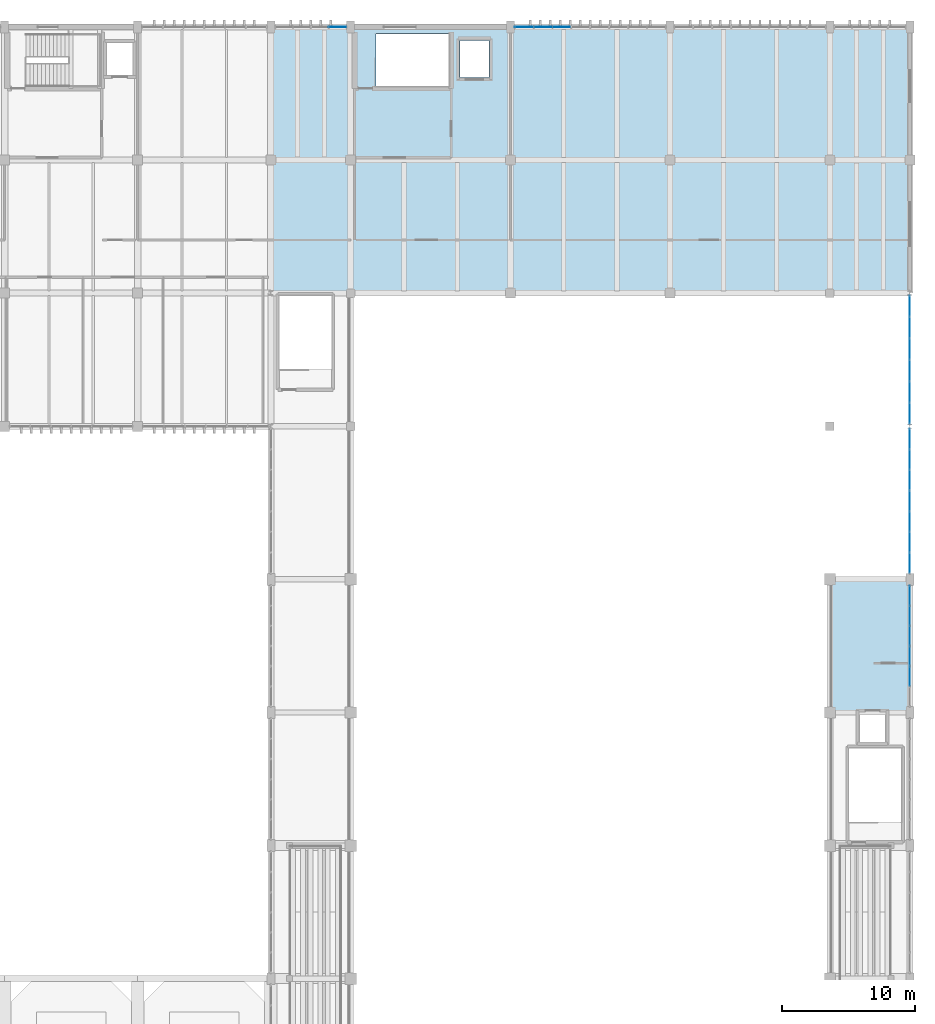
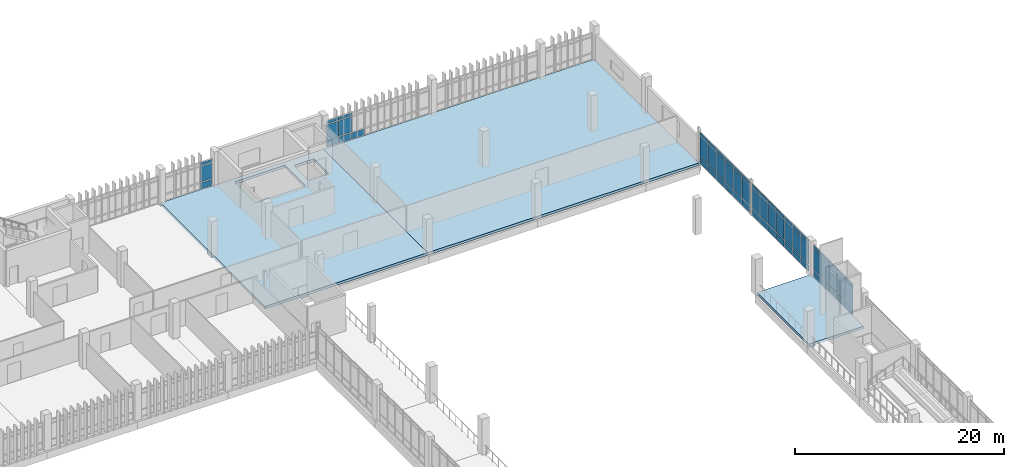
# One storey, part 139 of 161: 64 plates, 3 slabs, 5 elements without a shape of their own.
"""IFC4 building model written with IfcOpenShell, lengths in metres."""

import ifcopenshell
import ifcopenshell.guid

model = None  # the IFC model being written
_history = None  # IfcOwnerHistory: only IFC2X3 demands one
_inside = {}  # id of a spatial element -> (the spatial element, [elements in it])
_under = {}  # id of a project, library or spatial element -> (it, [spatial elements below it])
_declared = {}  # id of a project -> (the project, [libraries it declares])
_typed = {}  # id of a type object -> (the type object, [elements of that type])
_made_of = {}  # id of a material, layer set ... -> (it, [elements and type objects made of it])


def new_model(schema):
    """Start an empty IFC model of exactly this schema.

    Asked for "IFC4X3", IfcOpenShell would pick the latest addendum, in which some entities
    have other attributes; the version numbers below select the first issue.
    IFC2X3 requires an IfcOwnerHistory on every rooted entity: one is made here for all.
    """
    global model, _history
    if schema == "IFC4X3":
        model = ifcopenshell.file(schema_version=(4, 3, 0, 0))
    else:
        model = ifcopenshell.file(schema=schema)
    _inside.clear()
    _under.clear()
    _declared.clear()
    _typed.clear()
    _made_of.clear()
    _history = None
    if model.schema == "IFC2X3":
        org = make("IfcOrganization", Name="unknown")
        user = make(
            "IfcPersonAndOrganization",
            ThePerson=make("IfcPerson", FamilyName="unknown"),
            TheOrganization=org,
        )
        app = make(
            "IfcApplication",
            ApplicationDeveloper=org,
            Version="unknown",
            ApplicationFullName="unknown",
            ApplicationIdentifier="unknown",
        )
        _history = make(
            "IfcOwnerHistory",
            OwningUser=user,
            OwningApplication=app,
            ChangeAction="ADDED",
            CreationDate=0,
        )
    return model


def make(cls, **values):
    """One entity of the class cls with the attributes given. An attribute that is None is left unset."""
    return model.create_entity(
        cls, **{name: value for name, value in values.items() if value is not None}
    )


def rooted(cls, **values):
    """An entity with a GlobalId (a new one), such as an element, a storey or a relation."""
    return make(cls, GlobalId=ifcopenshell.guid.new(), OwnerHistory=_history, **values)


def si_unit(unit_type, name, prefix=None):
    """IfcSIUnit, for example si_unit("LENGTHUNIT", "METRE", prefix="MILLI")."""
    return make("IfcSIUnit", UnitType=unit_type, Prefix=prefix, Name=name)


def assignment(units):
    """IfcUnitAssignment: the units of a project."""
    return None if units is None else make("IfcUnitAssignment", Units=units)


def point(xyz):
    """IfcCartesianPoint."""
    return None if xyz is None else make("IfcCartesianPoint", Coordinates=xyz)


def direction(xyz):
    """IfcDirection."""
    return None if xyz is None else make("IfcDirection", DirectionRatios=xyz)


def frame(location, z_axis=None, x_axis=None):
    """IfcAxis2Placement3D, a coordinate frame: its origin and axes. An axis left out is left unset."""
    return make(
        "IfcAxis2Placement3D",
        Location=point(location),
        Axis=direction(z_axis),
        RefDirection=direction(x_axis),
    )


def frame_2d(location, x_axis=None):
    """IfcAxis2Placement2D, a coordinate frame in the plane: its origin and x axis."""
    return make(
        "IfcAxis2Placement2D", Location=point(location), RefDirection=direction(x_axis)
    )


def origin():
    """The frame at (0, 0, 0) with its axes left unset."""
    return frame((0.0, 0.0, 0.0))


def origin_2d():
    """The frame at (0, 0) in the plane with its x axis left unset."""
    return frame_2d((0.0, 0.0))


def place(relative_to, where):
    """IfcLocalPlacement: puts the frame where relative to a parent placement (None: the world)."""
    return make(
        "IfcLocalPlacement", PlacementRelTo=relative_to, RelativePlacement=where
    )


def context(
    kind, dimensions, precision=None, world=None, true_north=None, identifier=None
):
    """IfcGeometricRepresentationContext, for example the 3D "Model" context."""
    return make(
        "IfcGeometricRepresentationContext",
        ContextIdentifier=identifier,
        ContextType=kind,
        CoordinateSpaceDimension=dimensions,
        Precision=precision,
        WorldCoordinateSystem=world,
        TrueNorth=true_north,
    )


def subcontext(parent, identifier, kind, view, scale=None):
    """IfcGeometricRepresentationSubContext, for example "Body" below "Model"."""
    return make(
        "IfcGeometricRepresentationSubContext",
        ContextIdentifier=identifier,
        ContextType=kind,
        ParentContext=parent,
        TargetScale=scale,
        TargetView=view,
    )


def project(units=None, contexts=None):
    """IfcProject with its units and contexts."""
    return rooted(
        "IfcProject",
        Name="project",
        RepresentationContexts=contexts,
        UnitsInContext=assignment(units),
    )


def spatial(cls, under=None, at=None, **own):
    """A site, building, storey or space (cls), placed at a placement, below another one or the project."""
    s = rooted(cls, ObjectPlacement=at, **own)
    if under is not None:
        _under.setdefault(under.id(), (under, []))[1].append(s)
    return s


def polyline(points):
    """IfcPolyline through the points."""
    return make("IfcPolyline", Points=[point(p) for p in points])


def profile(cls, at=None, kind="AREA", **sizes):
    """A parametric profile (cls). Its sizes go by their IFC names, for example OverallWidth=200.0."""
    return make(cls, ProfileType=kind, Position=at, **sizes)


def rectangle(**sizes):
    """IfcRectangleProfileDef."""
    return profile("IfcRectangleProfileDef", **sizes)


def outline(outer, holes=None, kind="AREA"):
    """IfcArbitraryClosedProfileDef: a profile drawn as a closed curve; with holes, ...WithVoids."""
    if holes is None:
        return make("IfcArbitraryClosedProfileDef", ProfileType=kind, OuterCurve=outer)
    return make(
        "IfcArbitraryProfileDefWithVoids",
        ProfileType=kind,
        OuterCurve=outer,
        InnerCurves=holes,
    )


def extrude(swept, where, along, depth):
    """IfcExtrudedAreaSolid: the profile swept, set in the frame where, extruded along a direction by depth."""
    return make(
        "IfcExtrudedAreaSolid",
        SweptArea=swept,
        Position=where,
        ExtrudedDirection=direction(along),
        Depth=depth,
    )


def shape(context_of_items, identifier, shape_type, items):
    """IfcShapeRepresentation: the items that make up one representation, for example the "Body"."""
    return make(
        "IfcShapeRepresentation",
        ContextOfItems=context_of_items,
        RepresentationIdentifier=identifier,
        RepresentationType=shape_type,
        Items=items,
    )


def material(Name=None, Category=None):
    """IfcMaterial."""
    return make("IfcMaterial", Name=Name, Category=Category)


def layer(
    of_material, thickness, ventilated=None, Name=None, Category=None, Priority=None
):
    """IfcMaterialLayer: one layer of a wall or slab, of a material (None: an air gap)."""
    return make(
        "IfcMaterialLayer",
        Material=of_material,
        LayerThickness=thickness,
        IsVentilated=ventilated,
        Name=Name,
        Category=Category,
        Priority=Priority,
    )


def layer_set(layers, Name=None):
    """IfcMaterialLayerSet."""
    return make("IfcMaterialLayerSet", MaterialLayers=layers, LayerSetName=Name)


def made_of(thing, what):
    """Note that an element or type object is made of a material, layer set ...; save() writes the relation."""
    if what is not None:
        _made_of.setdefault(what.id(), (what, []))[1].append(thing)
    return thing


def type_object(cls, material=None, **own):
    """A type object (cls), such as IfcWallType, which elements share."""
    return made_of(rooted(cls, **own), material)


def element(
    cls,
    number,
    at=None,
    inside=None,
    cuts=None,
    type_object=None,
    material=None,
    context=None,
    identifier="Body",
    shape_type=None,
    held_by="IfcProductDefinitionShape",
    body=None,
    shapes=None,
    **own,
):
    """One element of the class cls, such as IfcWall. Its Tag is "e" and its number.

    at: its placement. inside: the storey or other place that contains it. cuts: it is an
    opening in that element (IfcRelVoidsElement). A single representation is given by context,
    identifier, shape_type and body (its items); several are given by shapes. held_by: the class
    of the entity that holds the representations. save() writes the other relations.
    """
    e = rooted(cls, Tag="e%d" % number, ObjectPlacement=at, **own)
    if body is not None:
        shapes = [shape(context, identifier, shape_type, body)]
    if shapes is not None:
        e.Representation = make(held_by, Representations=shapes)
    if inside is not None:
        _inside.setdefault(inside.id(), (inside, []))[1].append(e)
    if cuts is not None:
        rooted(
            "IfcRelVoidsElement", RelatingBuildingElement=cuts, RelatedOpeningElement=e
        )
    if type_object is not None:
        _typed.setdefault(type_object.id(), (type_object, []))[1].append(e)
    return made_of(e, material)


def aggregate(whole, parts):
    """IfcRelAggregates: a whole, such as a stair, and the parts it consists of."""
    return rooted("IfcRelAggregates", RelatingObject=whole, RelatedObjects=parts)


def save(model, path):
    """Write the relations noted so far, then the file.

    IfcRelAggregates (storeys below a building ...), IfcRelContainedInSpatialStructure (elements
    in a storey), IfcRelDefinesByType, IfcRelAssociatesMaterial and IfcRelDeclares: one each for
    every whole, place, type object, material and project.
    """
    for whole, parts in _under.values():
        aggregate(whole, parts)
    for where, things in _inside.values():
        rooted(
            "IfcRelContainedInSpatialStructure",
            RelatedElements=things,
            RelatingStructure=where,
        )
    for kind, things in _typed.values():
        rooted("IfcRelDefinesByType", RelatedObjects=things, RelatingType=kind)
    for what, things in _made_of.values():
        rooted("IfcRelAssociatesMaterial", RelatedObjects=things, RelatingMaterial=what)
    for by, libraries in _declared.values():
        rooted("IfcRelDeclares", RelatingContext=by, RelatedDefinitions=libraries)
    model.write(path)


model = new_model("IFC4")

# Units and contexts
model_context = context("Model", 3, precision=1e-05, world=origin(), true_north=direction((0.0, 1.0)))
body_context = subcontext(model_context, "Body", "Model", "MODEL_VIEW")
ifc_project = project(units=[si_unit("LENGTHUNIT", "METRE"), si_unit("AREAUNIT", "SQUARE_METRE"), si_unit("VOLUMEUNIT", "CUBIC_METRE"), si_unit("PLANEANGLEUNIT", "RADIAN"), si_unit("MASSUNIT", "GRAM", prefix="KILO")], contexts=[model_context])

# Site, building, storey
site_placement = place(None, origin())
site = spatial("IfcSite", under=ifc_project, at=site_placement, CompositionType="ELEMENT")
building_placement = place(site_placement, origin())
building = spatial("IfcBuilding", under=site, at=building_placement, Name="Mersad Railyard Sports Hall", CompositionType="ELEMENT")
storey_placement = place(building_placement, frame((0.0, 0.0, 4.800048828125)))
storey = spatial("IfcBuildingStorey", under=building, at=storey_placement, Name="L01", CompositionType="ELEMENT", Elevation=4.800048828125)

# Curtain wall, plates
ifc_material_1 = material(Name="Aluminium 6063-T6", Category="aluminium")
ifc_layer_1 = layer(ifc_material_1, 0.159912109375)
ifc_layer_set_1 = layer_set([ifc_layer_1], Name="Aluminium 6063-T6")
curtain_wall_type_1 = type_object("IfcCurtainWallType", Name="ARC-CW-CW14", PredefinedType="USERDEFINED", material=ifc_layer_set_1)
curtain_wall_1_placement = place(storey_placement, origin())
curtain_wall_1 = element("IfcCurtainWall", 1, at=curtain_wall_1_placement, inside=storey, type_object=curtain_wall_type_1, Name="Curtain wall CW14-0056", ObjectType="CURTAIN WALL", PredefinedType="USERDEFINED")
ifc_material_2 = material(Name="Solar-control glass", Category="glass")
ifc_layer_2 = layer(ifc_material_2, 0.028076171875)
ifc_layer_set_2 = layer_set([ifc_layer_2], Name="Solar-control glass")
plate_type = type_object("IfcPlateType", Name="ARC-CW-PNL01", PredefinedType="CURTAIN_PANEL", material=ifc_layer_set_2)
plate_1_placement = place(storey_placement, frame((179.0, 72.27490234375, 0.0849609375), z_axis=(0.0, 0.0, 1.0), x_axis=(0.0, -1.0, 0.0)))
plate_1 = element("IfcPlate", 2, at=plate_1_placement, type_object=plate_type, Name="CW14 Glazed panel 1-1", PredefinedType="CURTAIN_PANEL", context=body_context, shape_type="SweptSolid", body=[
    extrude(rectangle(XDim=1.466064453125, YDim=0.028076171875, at=origin_2d()), origin(), (0.0, 0.0, 1.0), 0.719970703125),
])
plate_2_placement = place(storey_placement, frame((179.0, 72.27490234375, 0.89501953125), z_axis=(0.0, 0.0, 1.0), x_axis=(0.0, -1.0, 0.0)))
plate_2 = element("IfcPlate", 3, at=plate_2_placement, type_object=plate_type, Name="CW14 Glazed panel 1-2", PredefinedType="CURTAIN_PANEL", context=body_context, shape_type="SweptSolid", body=[
    extrude(rectangle(XDim=1.466064453125, YDim=0.028076171875, at=origin_2d()), origin(), (0.0, 0.0, 1.0), 2.409912109375),
])
plate_3_placement = place(storey_placement, frame((179.0, 72.27490234375, 3.39501953125), z_axis=(0.0, 0.0, 1.0), x_axis=(0.0, -1.0, 0.0)))
plate_3 = element("IfcPlate", 4, at=plate_3_placement, type_object=plate_type, Name="CW14 Glazed panel 1-3", PredefinedType="CURTAIN_PANEL", context=body_context, shape_type="SweptSolid", body=[
    extrude(rectangle(XDim=1.466064453125, YDim=0.028076171875, at=origin_2d()), origin(), (0.0, 0.0, 1.0), 0.35009765625),
])
plate_4_placement = place(storey_placement, frame((179.0, 70.764892578125, 0.0849609375), z_axis=(0.0, 0.0, 1.0), x_axis=(0.0, -1.0, 0.0)))
plate_4 = element("IfcPlate", 5, at=plate_4_placement, type_object=plate_type, Name="CW14 Glazed panel 2-1", PredefinedType="CURTAIN_PANEL", context=body_context, shape_type="SweptSolid", body=[
    extrude(rectangle(XDim=1.466064453125, YDim=0.028076171875, at=origin_2d()), origin(), (0.0, 0.0, 1.0), 0.719970703125),
])
plate_5_placement = place(storey_placement, frame((179.0, 70.764892578125, 0.89501953125), z_axis=(0.0, 0.0, 1.0), x_axis=(0.0, -1.0, 0.0)))
plate_5 = element("IfcPlate", 6, at=plate_5_placement, type_object=plate_type, Name="CW14 Glazed panel 2-2", PredefinedType="CURTAIN_PANEL", context=body_context, shape_type="SweptSolid", body=[
    extrude(rectangle(XDim=1.466064453125, YDim=0.028076171875, at=origin_2d()), origin(), (0.0, 0.0, 1.0), 2.409912109375),
])
plate_6_placement = place(storey_placement, frame((179.0, 70.764892578125, 3.39501953125), z_axis=(0.0, 0.0, 1.0), x_axis=(0.0, -1.0, 0.0)))
plate_6 = element("IfcPlate", 7, at=plate_6_placement, type_object=plate_type, Name="CW14 Glazed panel 2-3", PredefinedType="CURTAIN_PANEL", context=body_context, shape_type="SweptSolid", body=[
    extrude(rectangle(XDim=1.466064453125, YDim=0.028076171875, at=origin_2d()), origin(), (0.0, 0.0, 1.0), 0.35009765625),
])
plate_7_placement = place(storey_placement, frame((179.0, 69.2548828125, 0.0849609375), z_axis=(0.0, 0.0, 1.0), x_axis=(0.0, -1.0, 0.0)))
plate_7 = element("IfcPlate", 8, at=plate_7_placement, type_object=plate_type, Name="CW14 Glazed panel 3-1", PredefinedType="CURTAIN_PANEL", context=body_context, shape_type="SweptSolid", body=[
    extrude(rectangle(XDim=1.466064453125, YDim=0.028076171875, at=origin_2d()), origin(), (0.0, 0.0, 1.0), 0.719970703125),
])
plate_8_placement = place(storey_placement, frame((179.0, 69.2548828125, 0.89501953125), z_axis=(0.0, 0.0, 1.0), x_axis=(0.0, -1.0, 0.0)))
plate_8 = element("IfcPlate", 9, at=plate_8_placement, type_object=plate_type, Name="CW14 Glazed panel 3-2", PredefinedType="CURTAIN_PANEL", context=body_context, shape_type="SweptSolid", body=[
    extrude(rectangle(XDim=1.466064453125, YDim=0.028076171875, at=origin_2d()), origin(), (0.0, 0.0, 1.0), 2.409912109375),
])
plate_9_placement = place(storey_placement, frame((179.0, 69.2548828125, 3.39501953125), z_axis=(0.0, 0.0, 1.0), x_axis=(0.0, -1.0, 0.0)))
plate_9 = element("IfcPlate", 10, at=plate_9_placement, type_object=plate_type, Name="CW14 Glazed panel 3-3", PredefinedType="CURTAIN_PANEL", context=body_context, shape_type="SweptSolid", body=[
    extrude(rectangle(XDim=1.466064453125, YDim=0.028076171875, at=origin_2d()), origin(), (0.0, 0.0, 1.0), 0.35009765625),
])
plate_10_placement = place(storey_placement, frame((179.0, 67.7451171875, 0.0849609375), z_axis=(0.0, 0.0, 1.0), x_axis=(0.0, -1.0, 0.0)))
plate_10 = element("IfcPlate", 11, at=plate_10_placement, type_object=plate_type, Name="CW14 Glazed panel 4-1", PredefinedType="CURTAIN_PANEL", context=body_context, shape_type="SweptSolid", body=[
    extrude(rectangle(XDim=1.466064453125, YDim=0.028076171875, at=origin_2d()), origin(), (0.0, 0.0, 1.0), 0.719970703125),
])
plate_11_placement = place(storey_placement, frame((179.0, 67.7451171875, 0.89501953125), z_axis=(0.0, 0.0, 1.0), x_axis=(0.0, -1.0, 0.0)))
plate_11 = element("IfcPlate", 12, at=plate_11_placement, type_object=plate_type, Name="CW14 Glazed panel 4-2", PredefinedType="CURTAIN_PANEL", context=body_context, shape_type="SweptSolid", body=[
    extrude(rectangle(XDim=1.466064453125, YDim=0.028076171875, at=origin_2d()), origin(), (0.0, 0.0, 1.0), 2.409912109375),
])
plate_12_placement = place(storey_placement, frame((179.0, 67.7451171875, 3.39501953125), z_axis=(0.0, 0.0, 1.0), x_axis=(0.0, -1.0, 0.0)))
plate_12 = element("IfcPlate", 13, at=plate_12_placement, type_object=plate_type, Name="CW14 Glazed panel 4-3", PredefinedType="CURTAIN_PANEL", context=body_context, shape_type="SweptSolid", body=[
    extrude(rectangle(XDim=1.466064453125, YDim=0.028076171875, at=origin_2d()), origin(), (0.0, 0.0, 1.0), 0.35009765625),
])
plate_13_placement = place(storey_placement, frame((179.0, 66.235107421875, 0.0849609375), z_axis=(0.0, 0.0, 1.0), x_axis=(0.0, -1.0, 0.0)))
plate_13 = element("IfcPlate", 14, at=plate_13_placement, type_object=plate_type, Name="CW14 Glazed panel 5-1", PredefinedType="CURTAIN_PANEL", context=body_context, shape_type="SweptSolid", body=[
    extrude(rectangle(XDim=1.466064453125, YDim=0.028076171875, at=origin_2d()), origin(), (0.0, 0.0, 1.0), 0.719970703125),
])
plate_14_placement = place(storey_placement, frame((179.0, 66.235107421875, 0.89501953125), z_axis=(0.0, 0.0, 1.0), x_axis=(0.0, -1.0, 0.0)))
plate_14 = element("IfcPlate", 15, at=plate_14_placement, type_object=plate_type, Name="CW14 Glazed panel 5-2", PredefinedType="CURTAIN_PANEL", context=body_context, shape_type="SweptSolid", body=[
    extrude(rectangle(XDim=1.466064453125, YDim=0.028076171875, at=origin_2d()), origin(), (0.0, 0.0, 1.0), 2.409912109375),
])
plate_15_placement = place(storey_placement, frame((179.0, 66.235107421875, 3.39501953125), z_axis=(0.0, 0.0, 1.0), x_axis=(0.0, -1.0, 0.0)))
plate_15 = element("IfcPlate", 16, at=plate_15_placement, type_object=plate_type, Name="CW14 Glazed panel 5-3", PredefinedType="CURTAIN_PANEL", context=body_context, shape_type="SweptSolid", body=[
    extrude(rectangle(XDim=1.466064453125, YDim=0.028076171875, at=origin_2d()), origin(), (0.0, 0.0, 1.0), 0.35009765625),
])
aggregate(curtain_wall_1, [plate_1, plate_2, plate_3, plate_4, plate_5, plate_6, plate_7, plate_8, plate_9, plate_10, plate_11, plate_12, plate_13, plate_14, plate_15])

ifc_layer_3 = layer(ifc_material_1, 0.159912109375)
ifc_layer_set_3 = layer_set([ifc_layer_3], Name="Aluminium 6063-T6")
curtain_wall_type_2 = type_object("IfcCurtainWallType", Name="ARC-CW-CW19", PredefinedType="USERDEFINED", material=ifc_layer_set_3)
curtain_wall_2_placement = place(storey_placement, origin())
curtain_wall_2 = element("IfcCurtainWall", 17, at=curtain_wall_2_placement, inside=storey, type_object=curtain_wall_type_2, Name="Curtain wall CW19-0058", ObjectType="CURTAIN WALL", PredefinedType="USERDEFINED")
plate_16_placement = place(storey_placement, frame((179.0, 84.05419921875, 0.0849609375), z_axis=(0.0, 0.0, 1.0), x_axis=(0.0, -1.0, 0.0)))
plate_16 = element("IfcPlate", 18, at=plate_16_placement, type_object=plate_type, Name="CW19 Glazed panel 1-1", PredefinedType="CURTAIN_PANEL", context=body_context, shape_type="SweptSolid", body=[
    extrude(rectangle(XDim=1.50732421875, YDim=0.028076171875, at=origin_2d()), origin(), (0.0, 0.0, 1.0), 0.719970703125),
])
plate_17_placement = place(storey_placement, frame((179.0, 84.05419921875, 0.89501953125), z_axis=(0.0, 0.0, 1.0), x_axis=(0.0, -1.0, 0.0)))
plate_17 = element("IfcPlate", 19, at=plate_17_placement, type_object=plate_type, Name="CW19 Glazed panel 1-2", PredefinedType="CURTAIN_PANEL", context=body_context, shape_type="SweptSolid", body=[
    extrude(rectangle(XDim=1.50732421875, YDim=0.028076171875, at=origin_2d()), origin(), (0.0, 0.0, 1.0), 2.409912109375),
])
plate_18_placement = place(storey_placement, frame((179.0, 84.05419921875, 3.39501953125), z_axis=(0.0, 0.0, 1.0), x_axis=(0.0, -1.0, 0.0)))
plate_18 = element("IfcPlate", 20, at=plate_18_placement, type_object=plate_type, Name="CW19 Glazed panel 1-3", PredefinedType="CURTAIN_PANEL", context=body_context, shape_type="SweptSolid", body=[
    extrude(rectangle(XDim=1.50732421875, YDim=0.028076171875, at=origin_2d()), origin(), (0.0, 0.0, 1.0), 0.35009765625),
])
plate_19_placement = place(storey_placement, frame((179.0, 82.5029296875, 0.0849609375), z_axis=(0.0, 0.0, 1.0), x_axis=(0.0, -1.0, 0.0)))
plate_19 = element("IfcPlate", 21, at=plate_19_placement, type_object=plate_type, Name="CW19 Glazed panel 2-1", PredefinedType="CURTAIN_PANEL", context=body_context, shape_type="SweptSolid", body=[
    extrude(rectangle(XDim=1.50732421875, YDim=0.028076171875, at=origin_2d()), origin(), (0.0, 0.0, 1.0), 0.719970703125),
])
plate_20_placement = place(storey_placement, frame((179.0, 82.5029296875, 0.89501953125), z_axis=(0.0, 0.0, 1.0), x_axis=(0.0, -1.0, 0.0)))
plate_20 = element("IfcPlate", 22, at=plate_20_placement, type_object=plate_type, Name="CW19 Glazed panel 2-2", PredefinedType="CURTAIN_PANEL", context=body_context, shape_type="SweptSolid", body=[
    extrude(rectangle(XDim=1.50732421875, YDim=0.028076171875, at=origin_2d()), origin(), (0.0, 0.0, 1.0), 2.409912109375),
])
plate_21_placement = place(storey_placement, frame((179.0, 82.5029296875, 3.39501953125), z_axis=(0.0, 0.0, 1.0), x_axis=(0.0, -1.0, 0.0)))
plate_21 = element("IfcPlate", 23, at=plate_21_placement, type_object=plate_type, Name="CW19 Glazed panel 2-3", PredefinedType="CURTAIN_PANEL", context=body_context, shape_type="SweptSolid", body=[
    extrude(rectangle(XDim=1.50732421875, YDim=0.028076171875, at=origin_2d()), origin(), (0.0, 0.0, 1.0), 0.35009765625),
])
plate_22_placement = place(storey_placement, frame((179.0, 80.951416015625, 0.0849609375), z_axis=(0.0, 0.0, 1.0), x_axis=(0.0, -1.0, 0.0)))
plate_22 = element("IfcPlate", 24, at=plate_22_placement, type_object=plate_type, Name="CW19 Glazed panel 3-1", PredefinedType="CURTAIN_PANEL", context=body_context, shape_type="SweptSolid", body=[
    extrude(rectangle(XDim=1.50732421875, YDim=0.028076171875, at=origin_2d()), origin(), (0.0, 0.0, 1.0), 0.719970703125),
])
plate_23_placement = place(storey_placement, frame((179.0, 80.951416015625, 0.89501953125), z_axis=(0.0, 0.0, 1.0), x_axis=(0.0, -1.0, 0.0)))
plate_23 = element("IfcPlate", 25, at=plate_23_placement, type_object=plate_type, Name="CW19 Glazed panel 3-2", PredefinedType="CURTAIN_PANEL", context=body_context, shape_type="SweptSolid", body=[
    extrude(rectangle(XDim=1.50732421875, YDim=0.028076171875, at=origin_2d()), origin(), (0.0, 0.0, 1.0), 2.409912109375),
])
plate_24_placement = place(storey_placement, frame((179.0, 80.951416015625, 3.39501953125), z_axis=(0.0, 0.0, 1.0), x_axis=(0.0, -1.0, 0.0)))
plate_24 = element("IfcPlate", 26, at=plate_24_placement, type_object=plate_type, Name="CW19 Glazed panel 3-3", PredefinedType="CURTAIN_PANEL", context=body_context, shape_type="SweptSolid", body=[
    extrude(rectangle(XDim=1.50732421875, YDim=0.028076171875, at=origin_2d()), origin(), (0.0, 0.0, 1.0), 0.35009765625),
])
plate_25_placement = place(storey_placement, frame((179.0, 79.39990234375, 0.0849609375), z_axis=(0.0, 0.0, 1.0), x_axis=(0.0, -1.0, 0.0)))
plate_25 = element("IfcPlate", 27, at=plate_25_placement, type_object=plate_type, Name="CW19 Glazed panel 4-1", PredefinedType="CURTAIN_PANEL", context=body_context, shape_type="SweptSolid", body=[
    extrude(rectangle(XDim=1.50732421875, YDim=0.028076171875, at=origin_2d()), origin(), (0.0, 0.0, 1.0), 0.719970703125),
])
plate_26_placement = place(storey_placement, frame((179.0, 79.39990234375, 0.89501953125), z_axis=(0.0, 0.0, 1.0), x_axis=(0.0, -1.0, 0.0)))
plate_26 = element("IfcPlate", 28, at=plate_26_placement, type_object=plate_type, Name="CW19 Glazed panel 4-2", PredefinedType="CURTAIN_PANEL", context=body_context, shape_type="SweptSolid", body=[
    extrude(rectangle(XDim=1.50732421875, YDim=0.028076171875, at=origin_2d()), origin(), (0.0, 0.0, 1.0), 2.409912109375),
])
plate_27_placement = place(storey_placement, frame((179.0, 79.39990234375, 3.39501953125), z_axis=(0.0, 0.0, 1.0), x_axis=(0.0, -1.0, 0.0)))
plate_27 = element("IfcPlate", 29, at=plate_27_placement, type_object=plate_type, Name="CW19 Glazed panel 4-3", PredefinedType="CURTAIN_PANEL", context=body_context, shape_type="SweptSolid", body=[
    extrude(rectangle(XDim=1.50732421875, YDim=0.028076171875, at=origin_2d()), origin(), (0.0, 0.0, 1.0), 0.35009765625),
])
plate_28_placement = place(storey_placement, frame((179.0, 77.8486328125, 0.0849609375), z_axis=(0.0, 0.0, 1.0), x_axis=(0.0, -1.0, 0.0)))
plate_28 = element("IfcPlate", 30, at=plate_28_placement, type_object=plate_type, Name="CW19 Glazed panel 5-1", PredefinedType="CURTAIN_PANEL", context=body_context, shape_type="SweptSolid", body=[
    extrude(rectangle(XDim=1.50732421875, YDim=0.028076171875, at=origin_2d()), origin(), (0.0, 0.0, 1.0), 0.719970703125),
])
plate_29_placement = place(storey_placement, frame((179.0, 77.8486328125, 0.89501953125), z_axis=(0.0, 0.0, 1.0), x_axis=(0.0, -1.0, 0.0)))
plate_29 = element("IfcPlate", 31, at=plate_29_placement, type_object=plate_type, Name="CW19 Glazed panel 5-2", PredefinedType="CURTAIN_PANEL", context=body_context, shape_type="SweptSolid", body=[
    extrude(rectangle(XDim=1.50732421875, YDim=0.028076171875, at=origin_2d()), origin(), (0.0, 0.0, 1.0), 2.409912109375),
])
plate_30_placement = place(storey_placement, frame((179.0, 77.8486328125, 3.39501953125), z_axis=(0.0, 0.0, 1.0), x_axis=(0.0, -1.0, 0.0)))
plate_30 = element("IfcPlate", 32, at=plate_30_placement, type_object=plate_type, Name="CW19 Glazed panel 5-3", PredefinedType="CURTAIN_PANEL", context=body_context, shape_type="SweptSolid", body=[
    extrude(rectangle(XDim=1.50732421875, YDim=0.028076171875, at=origin_2d()), origin(), (0.0, 0.0, 1.0), 0.35009765625),
])
plate_31_placement = place(storey_placement, frame((179.0, 76.297119140625, 0.0849609375), z_axis=(0.0, 0.0, 1.0), x_axis=(0.0, -1.0, 0.0)))
plate_31 = element("IfcPlate", 33, at=plate_31_placement, type_object=plate_type, Name="CW19 Glazed panel 6-1", PredefinedType="CURTAIN_PANEL", context=body_context, shape_type="SweptSolid", body=[
    extrude(rectangle(XDim=1.50732421875, YDim=0.028076171875, at=origin_2d()), origin(), (0.0, 0.0, 1.0), 0.719970703125),
])
plate_32_placement = place(storey_placement, frame((179.0, 76.297119140625, 0.89501953125), z_axis=(0.0, 0.0, 1.0), x_axis=(0.0, -1.0, 0.0)))
plate_32 = element("IfcPlate", 34, at=plate_32_placement, type_object=plate_type, Name="CW19 Glazed panel 6-2", PredefinedType="CURTAIN_PANEL", context=body_context, shape_type="SweptSolid", body=[
    extrude(rectangle(XDim=1.50732421875, YDim=0.028076171875, at=origin_2d()), origin(), (0.0, 0.0, 1.0), 2.409912109375),
])
plate_33_placement = place(storey_placement, frame((179.0, 76.297119140625, 3.39501953125), z_axis=(0.0, 0.0, 1.0), x_axis=(0.0, -1.0, 0.0)))
plate_33 = element("IfcPlate", 35, at=plate_33_placement, type_object=plate_type, Name="CW19 Glazed panel 6-3", PredefinedType="CURTAIN_PANEL", context=body_context, shape_type="SweptSolid", body=[
    extrude(rectangle(XDim=1.50732421875, YDim=0.028076171875, at=origin_2d()), origin(), (0.0, 0.0, 1.0), 0.35009765625),
])
plate_34_placement = place(storey_placement, frame((179.0, 74.74560546875, 0.0849609375), z_axis=(0.0, 0.0, 1.0), x_axis=(0.0, -1.0, 0.0)))
plate_34 = element("IfcPlate", 36, at=plate_34_placement, type_object=plate_type, Name="CW19 Glazed panel 7-1", PredefinedType="CURTAIN_PANEL", context=body_context, shape_type="SweptSolid", body=[
    extrude(rectangle(XDim=1.50732421875, YDim=0.028076171875, at=origin_2d()), origin(), (0.0, 0.0, 1.0), 0.719970703125),
])
plate_35_placement = place(storey_placement, frame((179.0, 74.74560546875, 0.89501953125), z_axis=(0.0, 0.0, 1.0), x_axis=(0.0, -1.0, 0.0)))
plate_35 = element("IfcPlate", 37, at=plate_35_placement, type_object=plate_type, Name="CW19 Glazed panel 7-2", PredefinedType="CURTAIN_PANEL", context=body_context, shape_type="SweptSolid", body=[
    extrude(rectangle(XDim=1.50732421875, YDim=0.028076171875, at=origin_2d()), origin(), (0.0, 0.0, 1.0), 2.409912109375),
])
plate_36_placement = place(storey_placement, frame((179.0, 74.74560546875, 3.39501953125), z_axis=(0.0, 0.0, 1.0), x_axis=(0.0, -1.0, 0.0)))
plate_36 = element("IfcPlate", 38, at=plate_36_placement, type_object=plate_type, Name="CW19 Glazed panel 7-3", PredefinedType="CURTAIN_PANEL", context=body_context, shape_type="SweptSolid", body=[
    extrude(rectangle(XDim=1.50732421875, YDim=0.028076171875, at=origin_2d()), origin(), (0.0, 0.0, 1.0), 0.35009765625),
])
aggregate(curtain_wall_2, [plate_16, plate_17, plate_18, plate_19, plate_20, plate_21, plate_22, plate_23, plate_24, plate_25, plate_26, plate_27, plate_28, plate_29, plate_30, plate_31, plate_32, plate_33, plate_34, plate_35, plate_36])

ifc_layer_4 = layer(ifc_material_1, 0.159912109375)
ifc_layer_set_4 = layer_set([ifc_layer_4], Name="Aluminium 6063-T6")
curtain_wall_type_3 = type_object("IfcCurtainWallType", Name="ARC-CW-CW22", PredefinedType="USERDEFINED", material=ifc_layer_set_4)
curtain_wall_3_placement = place(storey_placement, origin())
curtain_wall_3 = element("IfcCurtainWall", 39, at=curtain_wall_3_placement, inside=storey, type_object=curtain_wall_type_3, Name="Curtain wall CW22-0061", ObjectType="CURTAIN WALL", PredefinedType="USERDEFINED")
plate_37_placement = place(storey_placement, frame((179.0, 94.02490234375, 0.0849609375), z_axis=(0.0, 0.0, 1.0), x_axis=(0.0, -1.0, 0.0)))
plate_37 = element("IfcPlate", 40, at=plate_37_placement, type_object=plate_type, Name="CW22 Glazed panel 1-1", PredefinedType="CURTAIN_PANEL", context=body_context, shape_type="SweptSolid", body=[
    extrude(rectangle(XDim=1.56591796875, YDim=0.028076171875, at=origin_2d()), origin(), (0.0, 0.0, 1.0), 0.719970703125),
])
plate_38_placement = place(storey_placement, frame((179.0, 94.02490234375, 0.89501953125), z_axis=(0.0, 0.0, 1.0), x_axis=(0.0, -1.0, 0.0)))
plate_38 = element("IfcPlate", 41, at=plate_38_placement, type_object=plate_type, Name="CW22 Glazed panel 1-2", PredefinedType="CURTAIN_PANEL", context=body_context, shape_type="SweptSolid", body=[
    extrude(rectangle(XDim=1.56591796875, YDim=0.028076171875, at=origin_2d()), origin(), (0.0, 0.0, 1.0), 2.409912109375),
])
plate_39_placement = place(storey_placement, frame((179.0, 94.02490234375, 3.39501953125), z_axis=(0.0, 0.0, 1.0), x_axis=(0.0, -1.0, 0.0)))
plate_39 = element("IfcPlate", 42, at=plate_39_placement, type_object=plate_type, Name="CW22 Glazed panel 1-3", PredefinedType="CURTAIN_PANEL", context=body_context, shape_type="SweptSolid", body=[
    extrude(rectangle(XDim=1.56591796875, YDim=0.028076171875, at=origin_2d()), origin(), (0.0, 0.0, 1.0), 0.35009765625),
])
plate_40_placement = place(storey_placement, frame((179.0, 92.4150390625, 0.0849609375), z_axis=(0.0, 0.0, 1.0), x_axis=(0.0, -1.0, 0.0)))
plate_40 = element("IfcPlate", 43, at=plate_40_placement, type_object=plate_type, Name="CW22 Glazed panel 2-1", PredefinedType="CURTAIN_PANEL", context=body_context, shape_type="SweptSolid", body=[
    extrude(rectangle(XDim=1.56591796875, YDim=0.028076171875, at=origin_2d()), origin(), (0.0, 0.0, 1.0), 0.719970703125),
])
plate_41_placement = place(storey_placement, frame((179.0, 92.4150390625, 0.89501953125), z_axis=(0.0, 0.0, 1.0), x_axis=(0.0, -1.0, 0.0)))
plate_41 = element("IfcPlate", 44, at=plate_41_placement, type_object=plate_type, Name="CW22 Glazed panel 2-2", PredefinedType="CURTAIN_PANEL", context=body_context, shape_type="SweptSolid", body=[
    extrude(rectangle(XDim=1.56591796875, YDim=0.028076171875, at=origin_2d()), origin(), (0.0, 0.0, 1.0), 2.409912109375),
])
plate_42_placement = place(storey_placement, frame((179.0, 92.4150390625, 3.39501953125), z_axis=(0.0, 0.0, 1.0), x_axis=(0.0, -1.0, 0.0)))
plate_42 = element("IfcPlate", 45, at=plate_42_placement, type_object=plate_type, Name="CW22 Glazed panel 2-3", PredefinedType="CURTAIN_PANEL", context=body_context, shape_type="SweptSolid", body=[
    extrude(rectangle(XDim=1.56591796875, YDim=0.028076171875, at=origin_2d()), origin(), (0.0, 0.0, 1.0), 0.35009765625),
])
plate_43_placement = place(storey_placement, frame((179.0, 90.804931640625, 0.0849609375), z_axis=(0.0, 0.0, 1.0), x_axis=(0.0, -1.0, 0.0)))
plate_43 = element("IfcPlate", 46, at=plate_43_placement, type_object=plate_type, Name="CW22 Glazed panel 3-1", PredefinedType="CURTAIN_PANEL", context=body_context, shape_type="SweptSolid", body=[
    extrude(rectangle(XDim=1.56591796875, YDim=0.028076171875, at=origin_2d()), origin(), (0.0, 0.0, 1.0), 0.719970703125),
])
plate_44_placement = place(storey_placement, frame((179.0, 90.804931640625, 0.89501953125), z_axis=(0.0, 0.0, 1.0), x_axis=(0.0, -1.0, 0.0)))
plate_44 = element("IfcPlate", 47, at=plate_44_placement, type_object=plate_type, Name="CW22 Glazed panel 3-2", PredefinedType="CURTAIN_PANEL", context=body_context, shape_type="SweptSolid", body=[
    extrude(rectangle(XDim=1.56591796875, YDim=0.028076171875, at=origin_2d()), origin(), (0.0, 0.0, 1.0), 2.409912109375),
])
plate_45_placement = place(storey_placement, frame((179.0, 90.804931640625, 3.39501953125), z_axis=(0.0, 0.0, 1.0), x_axis=(0.0, -1.0, 0.0)))
plate_45 = element("IfcPlate", 48, at=plate_45_placement, type_object=plate_type, Name="CW22 Glazed panel 3-3", PredefinedType="CURTAIN_PANEL", context=body_context, shape_type="SweptSolid", body=[
    extrude(rectangle(XDim=1.56591796875, YDim=0.028076171875, at=origin_2d()), origin(), (0.0, 0.0, 1.0), 0.35009765625),
])
plate_46_placement = place(storey_placement, frame((179.0, 89.195068359375, 0.0849609375), z_axis=(0.0, 0.0, 1.0), x_axis=(0.0, -1.0, 0.0)))
plate_46 = element("IfcPlate", 49, at=plate_46_placement, type_object=plate_type, Name="CW22 Glazed panel 4-1", PredefinedType="CURTAIN_PANEL", context=body_context, shape_type="SweptSolid", body=[
    extrude(rectangle(XDim=1.56591796875, YDim=0.028076171875, at=origin_2d()), origin(), (0.0, 0.0, 1.0), 0.719970703125),
])
plate_47_placement = place(storey_placement, frame((179.0, 89.195068359375, 0.89501953125), z_axis=(0.0, 0.0, 1.0), x_axis=(0.0, -1.0, 0.0)))
plate_47 = element("IfcPlate", 50, at=plate_47_placement, type_object=plate_type, Name="CW22 Glazed panel 4-2", PredefinedType="CURTAIN_PANEL", context=body_context, shape_type="SweptSolid", body=[
    extrude(rectangle(XDim=1.56591796875, YDim=0.028076171875, at=origin_2d()), origin(), (0.0, 0.0, 1.0), 2.409912109375),
])
plate_48_placement = place(storey_placement, frame((179.0, 89.195068359375, 3.39501953125), z_axis=(0.0, 0.0, 1.0), x_axis=(0.0, -1.0, 0.0)))
plate_48 = element("IfcPlate", 51, at=plate_48_placement, type_object=plate_type, Name="CW22 Glazed panel 4-3", PredefinedType="CURTAIN_PANEL", context=body_context, shape_type="SweptSolid", body=[
    extrude(rectangle(XDim=1.56591796875, YDim=0.028076171875, at=origin_2d()), origin(), (0.0, 0.0, 1.0), 0.35009765625),
])
plate_49_placement = place(storey_placement, frame((179.0, 87.5849609375, 0.0849609375), z_axis=(0.0, 0.0, 1.0), x_axis=(0.0, -1.0, 0.0)))
plate_49 = element("IfcPlate", 52, at=plate_49_placement, type_object=plate_type, Name="CW22 Glazed panel 5-1", PredefinedType="CURTAIN_PANEL", context=body_context, shape_type="SweptSolid", body=[
    extrude(rectangle(XDim=1.56591796875, YDim=0.028076171875, at=origin_2d()), origin(), (0.0, 0.0, 1.0), 0.719970703125),
])
plate_50_placement = place(storey_placement, frame((179.0, 87.5849609375, 0.89501953125), z_axis=(0.0, 0.0, 1.0), x_axis=(0.0, -1.0, 0.0)))
plate_50 = element("IfcPlate", 53, at=plate_50_placement, type_object=plate_type, Name="CW22 Glazed panel 5-2", PredefinedType="CURTAIN_PANEL", context=body_context, shape_type="SweptSolid", body=[
    extrude(rectangle(XDim=1.56591796875, YDim=0.028076171875, at=origin_2d()), origin(), (0.0, 0.0, 1.0), 2.409912109375),
])
plate_51_placement = place(storey_placement, frame((179.0, 87.5849609375, 3.39501953125), z_axis=(0.0, 0.0, 1.0), x_axis=(0.0, -1.0, 0.0)))
plate_51 = element("IfcPlate", 54, at=plate_51_placement, type_object=plate_type, Name="CW22 Glazed panel 5-3", PredefinedType="CURTAIN_PANEL", context=body_context, shape_type="SweptSolid", body=[
    extrude(rectangle(XDim=1.56591796875, YDim=0.028076171875, at=origin_2d()), origin(), (0.0, 0.0, 1.0), 0.35009765625),
])
plate_52_placement = place(storey_placement, frame((179.0, 85.97509765625, 0.0849609375), z_axis=(0.0, 0.0, 1.0), x_axis=(0.0, -1.0, 0.0)))
plate_52 = element("IfcPlate", 55, at=plate_52_placement, type_object=plate_type, Name="CW22 Glazed panel 6-1", PredefinedType="CURTAIN_PANEL", context=body_context, shape_type="SweptSolid", body=[
    extrude(rectangle(XDim=1.56591796875, YDim=0.028076171875, at=origin_2d()), origin(), (0.0, 0.0, 1.0), 0.719970703125),
])
plate_53_placement = place(storey_placement, frame((179.0, 85.97509765625, 0.89501953125), z_axis=(0.0, 0.0, 1.0), x_axis=(0.0, -1.0, 0.0)))
plate_53 = element("IfcPlate", 56, at=plate_53_placement, type_object=plate_type, Name="CW22 Glazed panel 6-2", PredefinedType="CURTAIN_PANEL", context=body_context, shape_type="SweptSolid", body=[
    extrude(rectangle(XDim=1.56591796875, YDim=0.028076171875, at=origin_2d()), origin(), (0.0, 0.0, 1.0), 2.409912109375),
])
plate_54_placement = place(storey_placement, frame((179.0, 85.97509765625, 3.39501953125), z_axis=(0.0, 0.0, 1.0), x_axis=(0.0, -1.0, 0.0)))
plate_54 = element("IfcPlate", 57, at=plate_54_placement, type_object=plate_type, Name="CW22 Glazed panel 6-3", PredefinedType="CURTAIN_PANEL", context=body_context, shape_type="SweptSolid", body=[
    extrude(rectangle(XDim=1.56591796875, YDim=0.028076171875, at=origin_2d()), origin(), (0.0, 0.0, 1.0), 0.35009765625),
])
aggregate(curtain_wall_3, [plate_37, plate_38, plate_39, plate_40, plate_41, plate_42, plate_43, plate_44, plate_45, plate_46, plate_47, plate_48, plate_49, plate_50, plate_51, plate_52, plate_53, plate_54])

ifc_layer_5 = layer(ifc_material_1, 0.199951171875)
ifc_layer_set_5 = layer_set([ifc_layer_5], Name="Aluminium 6063-T6")
curtain_wall_type_4 = type_object("IfcCurtainWallType", Name="ARC-CW-CW36", PredefinedType="USERDEFINED", material=ifc_layer_set_5)
curtain_wall_4_placement = place(storey_placement, origin())
curtain_wall_4 = element("IfcCurtainWall", 58, at=curtain_wall_4_placement, inside=storey, type_object=curtain_wall_type_4, Name="Curtain wall CW36-0100", ObjectType="CURTAIN WALL", PredefinedType="USERDEFINED")
plate_55_placement = place(storey_placement, frame((136.010009765625, 115.0, 0.0849609375), z_axis=(0.0, 0.0, 1.0), x_axis=(1.0, 0.0, 0.0)))
plate_55 = element("IfcPlate", 59, at=plate_55_placement, type_object=plate_type, Name="CW36 Glazed panel 4-1", PredefinedType="CURTAIN_PANEL", context=body_context, shape_type="SweptSolid", body=[
    extrude(rectangle(XDim=1.2958984375, YDim=0.028076171875, at=origin_2d()), origin(), (0.0, 0.0, 1.0), 0.719970703125),
])
plate_56_placement = place(storey_placement, frame((136.010009765625, 115.0, 0.89501953125), z_axis=(0.0, 0.0, 1.0), x_axis=(1.0, 0.0, 0.0)))
plate_56 = element("IfcPlate", 60, at=plate_56_placement, type_object=plate_type, Name="CW36 Glazed panel 4-2", PredefinedType="CURTAIN_PANEL", context=body_context, shape_type="SweptSolid", body=[
    extrude(rectangle(XDim=1.2958984375, YDim=0.028076171875, at=origin_2d()), origin(), (0.0, 0.0, 1.0), 1.81005859375),
])
plate_57_placement = place(storey_placement, frame((136.010009765625, 115.0, 2.794921875), z_axis=(0.0, 0.0, 1.0), x_axis=(1.0, 0.0, 0.0)))
plate_57 = element("IfcPlate", 61, at=plate_57_placement, type_object=plate_type, Name="CW36 Glazed panel 4-3", PredefinedType="CURTAIN_PANEL", context=body_context, shape_type="SweptSolid", body=[
    extrude(rectangle(XDim=1.2958984375, YDim=0.028076171875, at=origin_2d()), origin(), (0.0, 0.0, 1.0), 0.35009765625),
])
aggregate(curtain_wall_4, [plate_55, plate_56, plate_57])

ifc_layer_6 = layer(ifc_material_1, 0.199951171875)
ifc_layer_set_6 = layer_set([ifc_layer_6], Name="Aluminium 6063-T6")
curtain_wall_type_5 = type_object("IfcCurtainWallType", Name="ARC-CW-CW34", PredefinedType="USERDEFINED", material=ifc_layer_set_6)
curtain_wall_5_placement = place(storey_placement, origin())
curtain_wall_5 = element("IfcCurtainWall", 62, at=curtain_wall_5_placement, inside=storey, type_object=curtain_wall_type_5, Name="Curtain wall CW34-0101", ObjectType="CURTAIN WALL", PredefinedType="USERDEFINED")
plate_58_placement = place(storey_placement, frame((150.030029296875, 115.0, 0.0849609375), z_axis=(0.0, 0.0, 1.0), x_axis=(1.0, 0.0, 0.0)))
plate_58 = element("IfcPlate", 63, at=plate_58_placement, type_object=plate_type, Name="CW34 Glazed panel 1-1", PredefinedType="CURTAIN_PANEL", context=body_context, shape_type="SweptSolid", body=[
    extrude(rectangle(XDim=1.3759765625, YDim=0.028076171875, at=origin_2d()), origin(), (0.0, 0.0, 1.0), 0.719970703125),
])
plate_59_placement = place(storey_placement, frame((150.030029296875, 115.0, 0.89501953125), z_axis=(0.0, 0.0, 1.0), x_axis=(1.0, 0.0, 0.0)))
plate_59 = element("IfcPlate", 64, at=plate_59_placement, type_object=plate_type, Name="CW34 Glazed panel 1-2", PredefinedType="CURTAIN_PANEL", context=body_context, shape_type="SweptSolid", body=[
    extrude(rectangle(XDim=1.3759765625, YDim=0.028076171875, at=origin_2d()), origin(), (0.0, 0.0, 1.0), 1.81005859375),
])
plate_60_placement = place(storey_placement, frame((150.030029296875, 115.0, 2.794921875), z_axis=(0.0, 0.0, 1.0), x_axis=(1.0, 0.0, 0.0)))
plate_60 = element("IfcPlate", 65, at=plate_60_placement, type_object=plate_type, Name="CW34 Glazed panel 1-3", PredefinedType="CURTAIN_PANEL", context=body_context, shape_type="SweptSolid", body=[
    extrude(rectangle(XDim=1.3759765625, YDim=0.028076171875, at=origin_2d()), origin(), (0.0, 0.0, 1.0), 0.35009765625),
])
plate_61_placement = place(storey_placement, frame((151.449951171875, 115.0, 0.0849609375), z_axis=(0.0, 0.0, 1.0), x_axis=(1.0, 0.0, 0.0)))
plate_61 = element("IfcPlate", 66, at=plate_61_placement, type_object=plate_type, Name="CW34 Glazed panel 2-1", PredefinedType="CURTAIN_PANEL", context=body_context, shape_type="SweptSolid", body=[
    extrude(rectangle(XDim=1.3759765625, YDim=0.028076171875, at=origin_2d()), origin(), (0.0, 0.0, 1.0), 0.719970703125),
])
plate_62_placement = place(storey_placement, frame((151.449951171875, 115.0, 0.89501953125), z_axis=(0.0, 0.0, 1.0), x_axis=(1.0, 0.0, 0.0)))
plate_62 = element("IfcPlate", 67, at=plate_62_placement, type_object=plate_type, Name="CW34 Glazed panel 2-2", PredefinedType="CURTAIN_PANEL", context=body_context, shape_type="SweptSolid", body=[
    extrude(rectangle(XDim=1.3759765625, YDim=0.028076171875, at=origin_2d()), origin(), (0.0, 0.0, 1.0), 1.81005859375),
])
plate_63_placement = place(storey_placement, frame((151.449951171875, 115.0, 2.794921875), z_axis=(0.0, 0.0, 1.0), x_axis=(1.0, 0.0, 0.0)))
plate_63 = element("IfcPlate", 68, at=plate_63_placement, type_object=plate_type, Name="CW34 Glazed panel 2-3", PredefinedType="CURTAIN_PANEL", context=body_context, shape_type="SweptSolid", body=[
    extrude(rectangle(XDim=1.3759765625, YDim=0.028076171875, at=origin_2d()), origin(), (0.0, 0.0, 1.0), 0.35009765625),
])
plate_64_placement = place(storey_placement, frame((152.8701171875, 115.0, 0.0849609375), z_axis=(0.0, 0.0, 1.0), x_axis=(1.0, 0.0, 0.0)))
plate_64 = element("IfcPlate", 69, at=plate_64_placement, type_object=plate_type, Name="CW34 Glazed panel 3-1", PredefinedType="CURTAIN_PANEL", context=body_context, shape_type="SweptSolid", body=[
    extrude(rectangle(XDim=1.3759765625, YDim=0.028076171875, at=origin_2d()), origin(), (0.0, 0.0, 1.0), 0.719970703125),
])
aggregate(curtain_wall_5, [plate_58, plate_59, plate_60, plate_61, plate_62, plate_63, plate_64])

# Slabs
ifc_material_3 = material(Name="Concrete C40/50", Category="concrete")
ifc_layer_7 = layer(ifc_material_3, 0.280029296875)
ifc_layer_set_7 = layer_set([ifc_layer_7], Name="Concrete C40/50")
slab_type_1 = type_object("IfcSlabType", Name="STR-SL-FL02", PredefinedType="FLOOR", material=ifc_layer_set_7)
slab_1_placement = place(storey_placement, frame((0.0, 0.0, -0.280029296875)))
element("IfcSlab", 70, at=slab_1_placement, inside=storey, type_object=slab_type_1, Name="Slab SL02-0068", PredefinedType="FLOOR", context=body_context, shape_type="SweptSolid", body=[
    extrude(outline(polyline([(173.0, 63.5), (179.0, 63.5), (179.0, 73.5), (173.0, 73.5), (173.0, 63.5)])), origin(), (0.0, 0.0, 1.0), 0.280029296875),
])
ifc_layer_8 = layer(ifc_material_3, 0.300048828125)
ifc_layer_set_8 = layer_set([ifc_layer_8], Name="Concrete C40/50")
slab_type_2 = type_object("IfcSlabType", Name="STR-SL-FL03", PredefinedType="FLOOR", material=ifc_layer_set_8)
slab_2_placement = place(storey_placement, frame((0.0, 0.0, -0.300048828125)))
element("IfcSlab", 71, at=slab_2_placement, inside=storey, type_object=slab_type_2, Name="Slab SL03-0078", PredefinedType="FLOOR", context=body_context, shape_type="SweptSolid", body=[
    extrude(outline(polyline([(131.0, 95.0), (149.0, 95.0), (149.0, 115.0), (131.0, 115.0), (131.0, 95.0)]), holes=[polyline([(138.889892578125, 110.5), (144.449951171875, 110.5), (144.449951171875, 114.5), (138.889892578125, 114.5), (138.889892578125, 110.5)]), polyline([(145.199951171875, 111.199951171875), (147.39990234375, 111.199951171875), (147.39990234375, 114.0), (145.199951171875, 114.0), (145.199951171875, 111.199951171875)])]), origin(), (0.0, 0.0, 1.0), 0.300048828125),
])
slab_3_placement = place(storey_placement, frame((0.0, 0.0, -0.300048828125)))
element("IfcSlab", 72, at=slab_3_placement, inside=storey, type_object=slab_type_2, Name="Slab SL03-0079", PredefinedType="FLOOR", context=body_context, shape_type="SweptSolid", body=[
    extrude(outline(polyline([(149.0, 95.0), (179.0, 95.0), (179.0, 115.0), (149.0, 115.0), (149.0, 95.0)])), origin(), (0.0, 0.0, 1.0), 0.300048828125),
])

save(model, "model.ifc")
